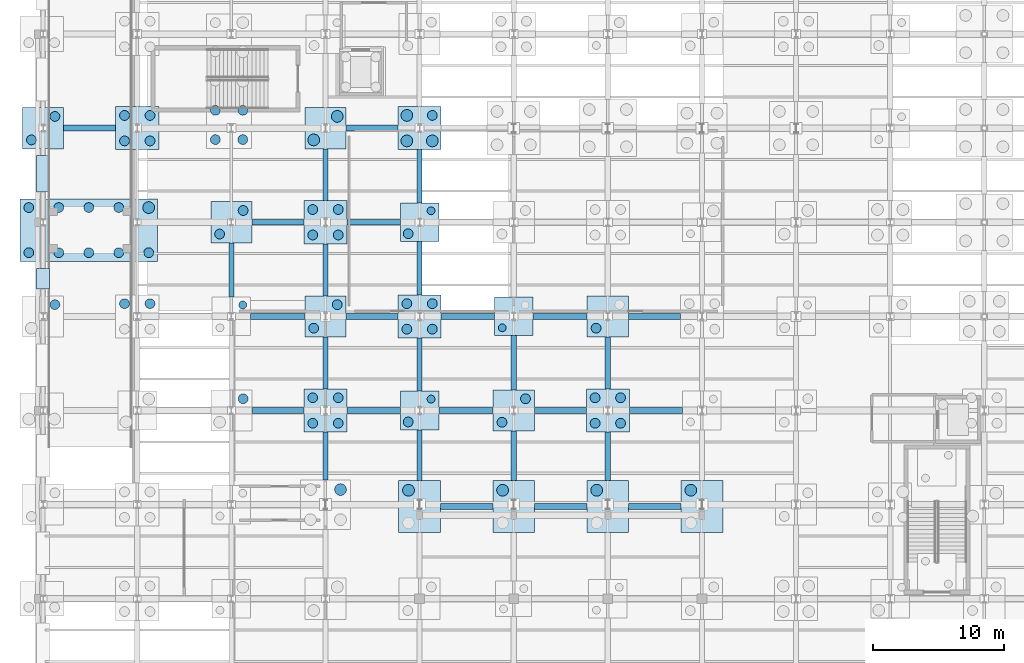
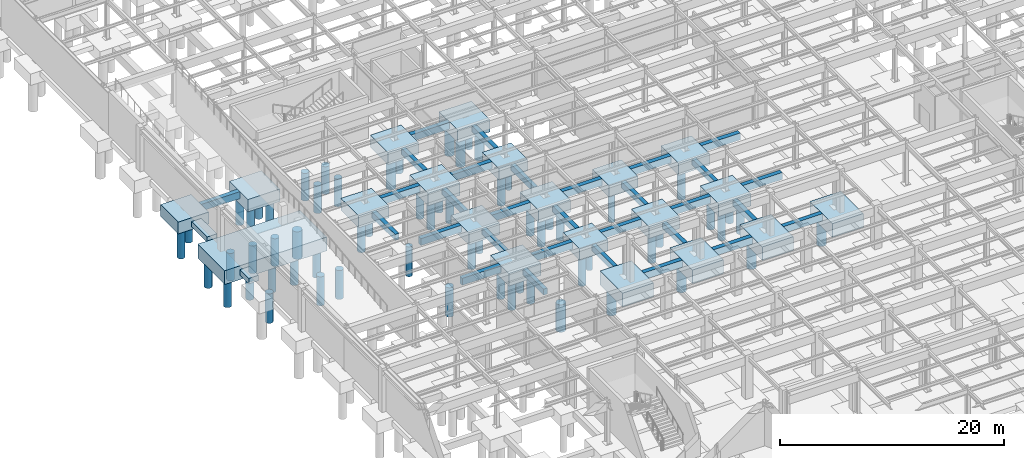
# One storey, part 8 of 64: 64 piles, 52 footings.
"""IFC4 building model written with IfcOpenShell, lengths in metres."""

from ifc_helpers import new_model, si_unit, direction, frame, origin, origin_2d, place, context, subcontext, project, spatial, rectangle, circle, extrude, material, material_profile, profile_set, type_object, element, save


model = new_model("IFC4")

# Units and contexts
model_context = context("Model", 3, precision=1e-05, world=origin(), true_north=direction((0.0, 1.0)))
body_context = subcontext(model_context, "Body", "Model", "MODEL_VIEW")
ifc_project = project(units=[si_unit("LENGTHUNIT", "METRE"), si_unit("AREAUNIT", "SQUARE_METRE"), si_unit("VOLUMEUNIT", "CUBIC_METRE"), si_unit("PLANEANGLEUNIT", "RADIAN"), si_unit("MASSUNIT", "GRAM", prefix="KILO")], contexts=[model_context])

# Site, building, storey
site_placement = place(None, origin())
site = spatial("IfcSite", under=ifc_project, at=site_placement, CompositionType="ELEMENT")
building_placement = place(site_placement, origin())
building = spatial("IfcBuilding", under=site, at=building_placement, Name="Solvadek Multi-Sports Hall", CompositionType="ELEMENT")
storey_placement = place(building_placement, frame((0.0, 0.0, -4.800048828125)))
storey = spatial("IfcBuildingStorey", under=building, at=storey_placement, Name="B1", CompositionType="ELEMENT", Elevation=-4.800048828125)

# Footings
ifc_material_1 = material(Name="Concrete M40", Category="concrete")
footing_type_1 = type_object("IfcFootingType", Name="STR-CAP-295X295X125", PredefinedType="PILE_CAP", material=ifc_material_1)
for number, where, z_axis, x_axis, name in (
    (1, (28.800048828125, 56.39990234375, -1.25), (0.0, 0.0, 1.0), (1.0, 0.0, 0.0), "Pile Cap PC-14 #181"),
    (2, (36.0, 63.60009765625, -1.25), (0.0, 0.0, 1.0), (1.0, 0.0, 0.0), "Pile Cap PC-14 #205"),
    (3, (28.800048828125, 70.800048828125, -1.25), (0.0, 0.0, 1.0), (1.0, 0.0, 0.0), "Pile Cap PC-14 #223"),
):
    element("IfcFooting", number, at=place(storey_placement, frame(where, z_axis=z_axis, x_axis=x_axis)), inside=storey, type_object=footing_type_1, Name=name, PredefinedType="PILE_CAP", context=body_context, shape_type="SweptSolid", body=[
        extrude(rectangle(XDim=2.949951171875, YDim=2.949951171875, at=origin_2d()), origin(), (0.0, 0.0, 1.0), 1.25),
    ])
footing_type_2 = type_object("IfcFootingType", Name="STR-CAP-315X315X130", PredefinedType="PILE_CAP", material=ifc_material_1)
for number, where, z_axis, x_axis, name in (
    (4, (36.0, 56.39990234375, -1.2998046875), (0.0, 0.0, 1.0), (1.0, 0.0, 0.0), "Pile Cap PC-15 #182"),
    (5, (21.60009765625, 63.60009765625, -1.2998046875), (0.0, 0.0, 1.0), (1.0, 0.0, 0.0), "Pile Cap PC-15 #203"),
    (6, (43.199951171875, 63.60009765625, -1.2998046875), (0.0, 0.0, 1.0), (1.0, 0.0, 0.0), "Pile Cap PC-15 #206"),
    (7, (14.39990234375, 70.800048828125, -1.2998046875), (0.0, 0.0, 1.0), (1.0, 0.0, 0.0), "Pile Cap PC-15 #221"),
    (8, (0.0, 78.0, -1.2998046875), (0.0, 0.0, 1.0), (1.0, 0.0, 0.0), "Pile Cap PC-15 #236"),
    (9, (21.60009765625, 78.0, -1.2998046875), (0.0, 0.0, 1.0), (1.0, 0.0, 0.0), "Pile Cap PC-15 #239"),
):
    element("IfcFooting", number, at=place(storey_placement, frame(where, z_axis=z_axis, x_axis=x_axis)), inside=storey, type_object=footing_type_2, Name=name, PredefinedType="PILE_CAP", context=body_context, shape_type="SweptSolid", body=[
        extrude(rectangle(XDim=3.14990234375, YDim=3.14990234375, at=origin_2d()), origin(), (0.0, 0.0, 1.0), 1.300048828125),
    ])
footing_type_3 = type_object("IfcFootingType", Name="STR-CAP-330X330X135", PredefinedType="PILE_CAP", material=ifc_material_1)
for number, where, z_axis, x_axis, name in (
    (10, (21.60009765625, 56.39990234375, -1.35009765625), (0.0, 0.0, 1.0), (1.0, 0.0, 0.0), "Pile Cap PC-04 #180"),
    (11, (43.199951171875, 56.39990234375, -1.35009765625), (0.0, 0.0, 1.0), (1.0, 0.0, 0.0), "Pile Cap PC-04 #183"),
    (12, (28.800048828125, 63.60009765625, -1.35009765625), (0.0, 0.0, 1.0), (1.0, 0.0, 0.0), "Pile Cap PC-04 #204"),
    (13, (21.60009765625, 70.800048828125, -1.35009765625), (0.0, 0.0, 1.0), (1.0, 0.0, 0.0), "Pile Cap PC-04 #222"),
    (14, (7.199951171875, 78.0, -1.35009765625), (0.0, 0.0, 1.0), (1.0, 0.0, 0.0), "Pile Cap PC-04 #237"),
    (15, (28.800048828125, 78.0, -1.35009765625), (0.0, 0.0, 1.0), (1.0, 0.0, 0.0), "Pile Cap PC-04 #240"),
):
    element("IfcFooting", number, at=place(storey_placement, frame(where, z_axis=z_axis, x_axis=x_axis)), inside=storey, type_object=footing_type_3, Name=name, PredefinedType="PILE_CAP", context=body_context, shape_type="SweptSolid", body=[
        extrude(rectangle(XDim=3.300048828125, YDim=3.300048828125, at=origin_2d()), origin(), (0.0, 0.0, 1.0), 1.35009765625),
    ])
footing_type_4 = type_object("IfcFootingType", Name="STR-CAP-CMB-1052X480", PredefinedType="PILE_CAP", material=ifc_material_1)
footing_1_placement = place(storey_placement, frame((3.489990234375, 70.199951171875, -1.5), z_axis=(0.0, 0.0, 1.0), x_axis=(1.0, 0.0, 0.0)))
element("IfcFooting", 16, at=footing_1_placement, inside=storey, type_object=footing_type_4, Name="Pile Cap PC-R214 #214", PredefinedType="PILE_CAP", context=body_context, shape_type="SweptSolid", body=[
    extrude(rectangle(XDim=10.52001953125, YDim=4.800048828125, at=origin_2d()), origin(), (0.0, 0.0, 1.0), 1.5),
])
footing_type_5 = type_object("IfcFootingType", Name="STR-CAP-CMB-400X320", PredefinedType="PILE_CAP", material=ifc_material_1)
for number, where, z_axis, x_axis, name in (
    (17, (28.800048828125, 49.050048828125, -1.5), (0.0, 0.0, 1.0), (0.0, 1.0, 0.0), "Pile Cap PC-R150 #150"),
    (18, (36.0, 49.050048828125, -1.5), (0.0, 0.0, 1.0), (0.0, 1.0, 0.0), "Pile Cap PC-R150 #151"),
    (19, (43.199951171875, 49.050048828125, -1.5), (0.0, 0.0, 1.0), (0.0, 1.0, 0.0), "Pile Cap PC-R150 #152"),
    (20, (50.39990234375, 49.050048828125, -1.5), (0.0, 0.0, 1.0), (0.0, 1.0, 0.0), "Pile Cap PC-R150 #153"),
):
    element("IfcFooting", number, at=place(storey_placement, frame(where, z_axis=z_axis, x_axis=x_axis)), inside=storey, type_object=footing_type_5, Name=name, PredefinedType="PILE_CAP", context=body_context, shape_type="SweptSolid", body=[
        extrude(rectangle(XDim=4.0, YDim=3.199951171875, at=origin_2d()), origin(), (0.0, 0.0, 1.0), 1.5),
    ])
footing_type_6 = type_object("IfcFootingType", Name="STR-FTB-400X650", PredefinedType="FOOTING_BEAM", material=ifc_material_1)
footing_2_placement = place(storey_placement, frame((14.39990234375, 67.14990234375, -0.64990234375), z_axis=(0.0, 0.0, 1.0), x_axis=(0.0, 1.0, 0.0)))
element("IfcFooting", 21, at=footing_2_placement, inside=storey, type_object=footing_type_6, Name="Foundation Beam FB-01 #235", PredefinedType="FOOTING_BEAM", context=body_context, shape_type="SweptSolid", body=[
    extrude(rectangle(XDim=4.14990234375, YDim=0.39990234375, at=origin_2d()), origin(), (0.0, 0.0, 1.0), 0.64990234375),
])
footing_3_placement = place(storey_placement, frame((21.60009765625, 52.925048828125, -0.64990234375), z_axis=(0.0, 0.0, 1.0), x_axis=(0.0, 1.0, 0.0)))
element("IfcFooting", 22, at=footing_3_placement, inside=storey, type_object=footing_type_6, Name="Foundation Beam FB-01 #242", PredefinedType="FOOTING_BEAM", context=body_context, shape_type="SweptSolid", body=[
    extrude(rectangle(XDim=3.64990234375, YDim=0.39990234375, at=origin_2d()), origin(), (0.0, 0.0, 1.0), 0.64990234375),
])
for number, where, z_axis, x_axis, name in (
    (23, (21.60009765625, 60.03759765625, -0.64990234375), (0.0, 0.0, 1.0), (0.0, 1.0, 0.0), "Foundation Beam FB-01 #243"),
    (24, (21.60009765625, 67.16259765625, -0.64990234375), (0.0, 0.0, 1.0), (0.0, 1.0, 0.0), "Foundation Beam FB-01 #244"),
    (25, (21.60009765625, 74.4375, -0.64990234375), (0.0, 0.0, 1.0), (0.0, 1.0, 0.0), "Foundation Beam FB-01 #245"),
):
    element("IfcFooting", number, at=place(storey_placement, frame(where, z_axis=z_axis, x_axis=x_axis)), inside=storey, type_object=footing_type_6, Name=name, PredefinedType="FOOTING_BEAM", context=body_context, shape_type="SweptSolid", body=[
        extrude(rectangle(XDim=3.97509765625, YDim=0.39990234375, at=origin_2d()), origin(), (0.0, 0.0, 1.0), 0.64990234375),
    ])
footing_4_placement = place(storey_placement, frame((28.800048828125, 52.987548828125, -0.64990234375), z_axis=(0.0, 0.0, 1.0), x_axis=(0.0, 1.0, 0.0)))
element("IfcFooting", 26, at=footing_4_placement, inside=storey, type_object=footing_type_6, Name="Foundation Beam FB-01 #253", PredefinedType="FOOTING_BEAM", context=body_context, shape_type="SweptSolid", body=[
    extrude(rectangle(XDim=3.875, YDim=0.39990234375, at=origin_2d()), origin(), (0.0, 0.0, 1.0), 0.64990234375),
])
for number, where, z_axis, x_axis, name in (
    (27, (28.800048828125, 59.91259765625, -0.64990234375), (0.0, 0.0, 1.0), (0.0, 1.0, 0.0), "Foundation Beam FB-01 #254"),
    (28, (28.800048828125, 67.28759765625, -0.64990234375), (0.0, 0.0, 1.0), (0.0, 1.0, 0.0), "Foundation Beam FB-01 #255"),
    (29, (28.800048828125, 74.3125, -0.64990234375), (0.0, 0.0, 1.0), (0.0, 1.0, 0.0), "Foundation Beam FB-01 #256"),
):
    element("IfcFooting", number, at=place(storey_placement, frame(where, z_axis=z_axis, x_axis=x_axis)), inside=storey, type_object=footing_type_6, Name=name, PredefinedType="FOOTING_BEAM", context=body_context, shape_type="SweptSolid", body=[
        extrude(rectangle(XDim=4.074951171875, YDim=0.39990234375, at=origin_2d()), origin(), (0.0, 0.0, 1.0), 0.64990234375),
    ])
footing_5_placement = place(storey_placement, frame((36.0, 52.9375, -0.64990234375), z_axis=(0.0, 0.0, 1.0), x_axis=(0.0, 1.0, 0.0)))
element("IfcFooting", 30, at=footing_5_placement, inside=storey, type_object=footing_type_6, Name="Foundation Beam FB-01 #266", PredefinedType="FOOTING_BEAM", context=body_context, shape_type="SweptSolid", body=[
    extrude(rectangle(XDim=3.77490234375, YDim=0.39990234375, at=origin_2d()), origin(), (0.0, 0.0, 1.0), 0.64990234375),
])
footing_6_placement = place(storey_placement, frame((36.0, 60.050048828125, -0.64990234375), z_axis=(0.0, 0.0, 1.0), x_axis=(0.0, 1.0, 0.0)))
element("IfcFooting", 31, at=footing_6_placement, inside=storey, type_object=footing_type_6, Name="Foundation Beam FB-01 #267", PredefinedType="FOOTING_BEAM", context=body_context, shape_type="SweptSolid", body=[
    extrude(rectangle(XDim=4.14990234375, YDim=0.39990234375, at=origin_2d()), origin(), (0.0, 0.0, 1.0), 0.64990234375),
])
footing_7_placement = place(storey_placement, frame((43.199951171875, 52.89990234375, -0.64990234375), z_axis=(0.0, 0.0, 1.0), x_axis=(0.0, 1.0, 0.0)))
element("IfcFooting", 32, at=footing_7_placement, inside=storey, type_object=footing_type_6, Name="Foundation Beam FB-01 #280", PredefinedType="FOOTING_BEAM", context=body_context, shape_type="SweptSolid", body=[
    extrude(rectangle(XDim=3.699951171875, YDim=0.39990234375, at=origin_2d()), origin(), (0.0, 0.0, 1.0), 0.64990234375),
])
footing_8_placement = place(storey_placement, frame((43.199951171875, 60.03759765625, -0.64990234375), z_axis=(0.0, 0.0, 1.0), x_axis=(0.0, 1.0, 0.0)))
element("IfcFooting", 33, at=footing_8_placement, inside=storey, type_object=footing_type_6, Name="Foundation Beam FB-01 #281", PredefinedType="FOOTING_BEAM", context=body_context, shape_type="SweptSolid", body=[
    extrude(rectangle(XDim=3.97509765625, YDim=0.39990234375, at=origin_2d()), origin(), (0.0, 0.0, 1.0), 0.64990234375),
])
footing_type_7 = type_object("IfcFootingType", Name="STR-FTB-450X750", PredefinedType="FOOTING_BEAM", material=ifc_material_1)
for number, where, z_axis, x_axis, name in (
    (34, (32.39990234375, 49.050048828125, -0.75), (0.0, 0.0, 1.0), (1.0, 0.0, 0.0), "Foundation Beam FB-02 #99"),
    (35, (39.60009765625, 49.050048828125, -0.75), (0.0, 0.0, 1.0), (1.0, 0.0, 0.0), "Foundation Beam FB-02 #100"),
    (36, (46.800048828125, 49.050048828125, -0.75), (0.0, 0.0, 1.0), (1.0, 0.0, 0.0), "Foundation Beam FB-02 #101"),
):
    element("IfcFooting", number, at=place(storey_placement, frame(where, z_axis=z_axis, x_axis=x_axis)), inside=storey, type_object=footing_type_7, Name=name, PredefinedType="FOOTING_BEAM", context=body_context, shape_type="SweptSolid", body=[
        extrude(rectangle(XDim=4.0, YDim=0.449951171875, at=origin_2d()), origin(), (0.0, 0.0, 1.0), 0.75),
    ])
footing_9_placement = place(storey_placement, frame((17.96240234375, 56.39990234375, -0.75), z_axis=(0.0, 0.0, 1.0), x_axis=(1.0, 0.0, 0.0)))
element("IfcFooting", 37, at=footing_9_placement, inside=storey, type_object=footing_type_7, Name="Foundation Beam FB-02 #121", PredefinedType="FOOTING_BEAM", context=body_context, shape_type="SweptSolid", body=[
    extrude(rectangle(XDim=3.97509765625, YDim=0.449951171875, at=origin_2d()), origin(), (0.0, 0.0, 1.0), 0.75),
])
footing_10_placement = place(storey_placement, frame((25.28759765625, 56.39990234375, -0.75), z_axis=(0.0, 0.0, 1.0), x_axis=(1.0, 0.0, 0.0)))
element("IfcFooting", 38, at=footing_10_placement, inside=storey, type_object=footing_type_7, Name="Foundation Beam FB-02 #122", PredefinedType="FOOTING_BEAM", context=body_context, shape_type="SweptSolid", body=[
    extrude(rectangle(XDim=4.074951171875, YDim=0.449951171875, at=origin_2d()), origin(), (0.0, 0.0, 1.0), 0.75),
])
footing_11_placement = place(storey_placement, frame((32.35009765625, 56.39990234375, -0.75), z_axis=(0.0, 0.0, 1.0), x_axis=(1.0, 0.0, 0.0)))
element("IfcFooting", 39, at=footing_11_placement, inside=storey, type_object=footing_type_7, Name="Foundation Beam FB-02 #123", PredefinedType="FOOTING_BEAM", context=body_context, shape_type="SweptSolid", body=[
    extrude(rectangle(XDim=4.14990234375, YDim=0.449951171875, at=origin_2d()), origin(), (0.0, 0.0, 1.0), 0.75),
])
footing_12_placement = place(storey_placement, frame((39.5625, 56.39990234375, -0.75), z_axis=(0.0, 0.0, 1.0), x_axis=(1.0, 0.0, 0.0)))
element("IfcFooting", 40, at=footing_12_placement, inside=storey, type_object=footing_type_7, Name="Foundation Beam FB-02 #124", PredefinedType="FOOTING_BEAM", context=body_context, shape_type="SweptSolid", body=[
    extrude(rectangle(XDim=3.97509765625, YDim=0.449951171875, at=origin_2d()), origin(), (0.0, 0.0, 1.0), 0.75),
])
footing_13_placement = place(storey_placement, frame((46.887451171875, 56.39990234375, -0.75), z_axis=(0.0, 0.0, 1.0), x_axis=(1.0, 0.0, 0.0)))
element("IfcFooting", 41, at=footing_13_placement, inside=storey, type_object=footing_type_7, Name="Foundation Beam FB-02 #125", PredefinedType="FOOTING_BEAM", context=body_context, shape_type="SweptSolid", body=[
    extrude(rectangle(XDim=4.074951171875, YDim=0.449951171875, at=origin_2d()), origin(), (0.0, 0.0, 1.0), 0.75),
])
footing_14_placement = place(storey_placement, frame((17.949951171875, 63.60009765625, -0.75), z_axis=(0.0, 0.0, 1.0), x_axis=(1.0, 0.0, 0.0)))
element("IfcFooting", 42, at=footing_14_placement, inside=storey, type_object=footing_type_7, Name="Foundation Beam FB-02 #142", PredefinedType="FOOTING_BEAM", context=body_context, shape_type="SweptSolid", body=[
    extrude(rectangle(XDim=4.14990234375, YDim=0.449951171875, at=origin_2d()), origin(), (0.0, 0.0, 1.0), 0.75),
])
footing_15_placement = place(storey_placement, frame((25.16259765625, 63.60009765625, -0.75), z_axis=(0.0, 0.0, 1.0), x_axis=(1.0, 0.0, 0.0)))
element("IfcFooting", 43, at=footing_15_placement, inside=storey, type_object=footing_type_7, Name="Foundation Beam FB-02 #143", PredefinedType="FOOTING_BEAM", context=body_context, shape_type="SweptSolid", body=[
    extrude(rectangle(XDim=3.97509765625, YDim=0.449951171875, at=origin_2d()), origin(), (0.0, 0.0, 1.0), 0.75),
])
footing_16_placement = place(storey_placement, frame((32.487548828125, 63.60009765625, -0.75), z_axis=(0.0, 0.0, 1.0), x_axis=(1.0, 0.0, 0.0)))
element("IfcFooting", 44, at=footing_16_placement, inside=storey, type_object=footing_type_7, Name="Foundation Beam FB-02 #144", PredefinedType="FOOTING_BEAM", context=body_context, shape_type="SweptSolid", body=[
    extrude(rectangle(XDim=4.074951171875, YDim=0.449951171875, at=origin_2d()), origin(), (0.0, 0.0, 1.0), 0.75),
])
footing_17_placement = place(storey_placement, frame((39.550048828125, 63.60009765625, -0.75), z_axis=(0.0, 0.0, 1.0), x_axis=(1.0, 0.0, 0.0)))
element("IfcFooting", 45, at=footing_17_placement, inside=storey, type_object=footing_type_7, Name="Foundation Beam FB-02 #145", PredefinedType="FOOTING_BEAM", context=body_context, shape_type="SweptSolid", body=[
    extrude(rectangle(XDim=4.14990234375, YDim=0.449951171875, at=origin_2d()), origin(), (0.0, 0.0, 1.0), 0.75),
])
for number, where, z_axis, x_axis, name in (
    (46, (46.762451171875, 63.60009765625, -0.75), (0.0, 0.0, 1.0), (1.0, 0.0, 0.0), "Foundation Beam FB-02 #146"),
    (47, (17.96240234375, 70.800048828125, -0.75), (0.0, 0.0, 1.0), (1.0, 0.0, 0.0), "Foundation Beam FB-02 #154"),
):
    element("IfcFooting", number, at=place(storey_placement, frame(where, z_axis=z_axis, x_axis=x_axis)), inside=storey, type_object=footing_type_7, Name=name, PredefinedType="FOOTING_BEAM", context=body_context, shape_type="SweptSolid", body=[
        extrude(rectangle(XDim=3.97509765625, YDim=0.449951171875, at=origin_2d()), origin(), (0.0, 0.0, 1.0), 0.75),
    ])
footing_18_placement = place(storey_placement, frame((25.28759765625, 70.800048828125, -0.75), z_axis=(0.0, 0.0, 1.0), x_axis=(1.0, 0.0, 0.0)))
element("IfcFooting", 48, at=footing_18_placement, inside=storey, type_object=footing_type_7, Name="Foundation Beam FB-02 #155", PredefinedType="FOOTING_BEAM", context=body_context, shape_type="SweptSolid", body=[
    extrude(rectangle(XDim=4.074951171875, YDim=0.449951171875, at=origin_2d()), origin(), (0.0, 0.0, 1.0), 0.75),
])
for number, where, z_axis, x_axis, name in (
    (49, (3.5625, 78.0, -0.75), (0.0, 0.0, 1.0), (1.0, 0.0, 0.0), "Foundation Beam FB-02 #165"),
    (50, (25.16259765625, 78.0, -0.75), (0.0, 0.0, 1.0), (1.0, 0.0, 0.0), "Foundation Beam FB-02 #166"),
):
    element("IfcFooting", number, at=place(storey_placement, frame(where, z_axis=z_axis, x_axis=x_axis)), inside=storey, type_object=footing_type_7, Name=name, PredefinedType="FOOTING_BEAM", context=body_context, shape_type="SweptSolid", body=[
        extrude(rectangle(XDim=3.97509765625, YDim=0.449951171875, at=origin_2d()), origin(), (0.0, 0.0, 1.0), 0.75),
    ])

# Piles
ifc_material_2 = material(Name="Concrete M35", Category="concrete")
ifc_material_profile_1 = material_profile(ifc_material_2, circle(Radius=0.300048828125, at=origin_2d()), Name="BORED PILE D600")
ifc_profile_set_1 = profile_set([ifc_material_profile_1], Name="Concrete M35")
pile_type_1 = type_object("IfcPileType", Name="STR-PILE-D600", PredefinedType="BORED", material=ifc_profile_set_1)
for number, where, z_axis, x_axis, name in (
    (51, (29.675048828125, 57.27490234375, -1.14990234375), (0.0, 0.0, -1.0), (1.0, 0.0, 0.0), "Bored Pile PL-600 #575"),
    (52, (15.27490234375, 64.47509765625, -1.14990234375), (0.0, 0.0, -1.0), (1.0, 0.0, 0.0), "Bored Pile PL-600 #631"),
    (53, (35.125, 62.72509765625, -1.14990234375), (0.0, 0.0, -1.0), (1.0, 0.0, 0.0), "Bored Pile PL-600 #638"),
    (54, (29.675048828125, 71.675048828125, -1.14990234375), (0.0, 0.0, -1.0), (1.0, 0.0, 0.0), "Bored Pile PL-600 #711"),
):
    element("IfcPile", number, at=place(storey_placement, frame(where, z_axis=z_axis, x_axis=x_axis)), inside=storey, type_object=pile_type_1, Name=name, PredefinedType="BORED", context=body_context, shape_type="SweptSolid", body=[
        extrude(circle(Radius=0.300048828125, at=origin_2d()), origin(), (0.0, 0.0, 1.0), 3.25),
    ])
ifc_material_profile_2 = material_profile(ifc_material_2, circle(Radius=0.375, at=origin_2d()), Name="BORED PILE D750")
ifc_profile_set_2 = profile_set([ifc_material_profile_2], Name="Concrete M35")
pile_type_2 = type_object("IfcPileType", Name="STR-PILE-D750", PredefinedType="BORED", material=ifc_profile_set_2)
pile_1_placement = place(storey_placement, frame((15.300048828125, 57.300048828125, -1.199951171875), z_axis=(0.0, 0.0, -1.0), x_axis=(1.0, 0.0, 0.0)))
element("IfcPile", 55, at=pile_1_placement, inside=storey, type_object=pile_type_2, Name="Bored Pile PL-750 #569", PredefinedType="BORED", context=body_context, shape_type="SweptSolid", body=[
    extrude(circle(Radius=0.375, at=origin_2d()), origin(), (0.0, 0.0, 1.0), 3.199951171875),
])
for number, where, z_axis, x_axis, name in (
    (56, (20.625, 55.425048828125, -1.25), (0.0, 0.0, -1.0), (1.0, 0.0, 0.0), "Bored Pile PL-750 #570"),
    (57, (20.625, 57.375, -1.25), (0.0, 0.0, -1.0), (1.0, 0.0, 0.0), "Bored Pile PL-750 #571"),
    (58, (22.574951171875, 55.425048828125, -1.25), (0.0, 0.0, -1.0), (1.0, 0.0, 0.0), "Bored Pile PL-750 #572"),
    (59, (22.574951171875, 57.375, -1.25), (0.0, 0.0, -1.0), (1.0, 0.0, 0.0), "Bored Pile PL-750 #573"),
):
    element("IfcPile", number, at=place(storey_placement, frame(where, z_axis=z_axis, x_axis=x_axis)), inside=storey, type_object=pile_type_2, Name=name, PredefinedType="BORED", context=body_context, shape_type="SweptSolid", body=[
        extrude(circle(Radius=0.375, at=origin_2d()), origin(), (0.0, 0.0, 1.0), 3.14990234375),
    ])
pile_2_placement = place(storey_placement, frame((27.925048828125, 55.52490234375, -1.14990234375), z_axis=(0.0, 0.0, -1.0), x_axis=(1.0, 0.0, 0.0)))
element("IfcPile", 60, at=pile_2_placement, inside=storey, type_object=pile_type_2, Name="Bored Pile PL-750 #574", PredefinedType="BORED", context=body_context, shape_type="SweptSolid", body=[
    extrude(circle(Radius=0.375, at=origin_2d()), origin(), (0.0, 0.0, 1.0), 3.25),
])
for number, where, z_axis, x_axis, name in (
    (61, (35.10009765625, 55.5, -1.199951171875), (0.0, 0.0, -1.0), (1.0, 0.0, 0.0), "Bored Pile PL-750 #576"),
    (62, (36.89990234375, 57.300048828125, -1.199951171875), (0.0, 0.0, -1.0), (1.0, 0.0, 0.0), "Bored Pile PL-750 #577"),
):
    element("IfcPile", number, at=place(storey_placement, frame(where, z_axis=z_axis, x_axis=x_axis)), inside=storey, type_object=pile_type_2, Name=name, PredefinedType="BORED", context=body_context, shape_type="SweptSolid", body=[
        extrude(circle(Radius=0.375, at=origin_2d()), origin(), (0.0, 0.0, 1.0), 3.199951171875),
    ])
for number, where, z_axis, x_axis, name in (
    (63, (42.22509765625, 55.425048828125, -1.25), (0.0, 0.0, -1.0), (1.0, 0.0, 0.0), "Bored Pile PL-750 #578"),
    (64, (42.22509765625, 57.375, -1.25), (0.0, 0.0, -1.0), (1.0, 0.0, 0.0), "Bored Pile PL-750 #579"),
    (65, (44.175048828125, 55.425048828125, -1.25), (0.0, 0.0, -1.0), (1.0, 0.0, 0.0), "Bored Pile PL-750 #580"),
    (66, (44.175048828125, 57.375, -1.25), (0.0, 0.0, -1.0), (1.0, 0.0, 0.0), "Bored Pile PL-750 #581"),
):
    element("IfcPile", number, at=place(storey_placement, frame(where, z_axis=z_axis, x_axis=x_axis)), inside=storey, type_object=pile_type_2, Name=name, PredefinedType="BORED", context=body_context, shape_type="SweptSolid", body=[
        extrude(circle(Radius=0.375, at=origin_2d()), origin(), (0.0, 0.0, 1.0), 3.14990234375),
    ])
pile_3_placement = place(storey_placement, frame((0.89990234375, 64.5, -1.199951171875), z_axis=(0.0, 0.0, -1.0), x_axis=(1.0, 0.0, 0.0)))
element("IfcPile", 67, at=pile_3_placement, inside=storey, type_object=pile_type_2, Name="Bored Pile PL-750 #625", PredefinedType="BORED", context=body_context, shape_type="SweptSolid", body=[
    extrude(circle(Radius=0.375, at=origin_2d()), origin(), (0.0, 0.0, 1.0), 3.199951171875),
])
for number, where, z_axis, x_axis, name in (
    (68, (6.22509765625, 64.574951171875, -1.25), (0.0, 0.0, -1.0), (1.0, 0.0, 0.0), "Bored Pile PL-750 #627"),
    (69, (8.175048828125, 64.574951171875, -1.25), (0.0, 0.0, -1.0), (1.0, 0.0, 0.0), "Bored Pile PL-750 #629"),
):
    element("IfcPile", number, at=place(storey_placement, frame(where, z_axis=z_axis, x_axis=x_axis)), inside=storey, type_object=pile_type_2, Name=name, PredefinedType="BORED", context=body_context, shape_type="SweptSolid", body=[
        extrude(circle(Radius=0.375, at=origin_2d()), origin(), (0.0, 0.0, 1.0), 3.14990234375),
    ])
for number, where, z_axis, x_axis, name in (
    (70, (20.699951171875, 62.699951171875, -1.199951171875), (0.0, 0.0, -1.0), (1.0, 0.0, 0.0), "Bored Pile PL-750 #632"),
    (71, (22.5, 64.5, -1.199951171875), (0.0, 0.0, -1.0), (1.0, 0.0, 0.0), "Bored Pile PL-750 #633"),
):
    element("IfcPile", number, at=place(storey_placement, frame(where, z_axis=z_axis, x_axis=x_axis)), inside=storey, type_object=pile_type_2, Name=name, PredefinedType="BORED", context=body_context, shape_type="SweptSolid", body=[
        extrude(circle(Radius=0.375, at=origin_2d()), origin(), (0.0, 0.0, 1.0), 3.199951171875),
    ])
for number, where, z_axis, x_axis, name in (
    (72, (27.824951171875, 62.625, -1.25), (0.0, 0.0, -1.0), (1.0, 0.0, 0.0), "Bored Pile PL-750 #634"),
    (73, (27.824951171875, 64.574951171875, -1.25), (0.0, 0.0, -1.0), (1.0, 0.0, 0.0), "Bored Pile PL-750 #635"),
    (74, (29.77490234375, 62.625, -1.25), (0.0, 0.0, -1.0), (1.0, 0.0, 0.0), "Bored Pile PL-750 #636"),
    (75, (29.77490234375, 64.574951171875, -1.25), (0.0, 0.0, -1.0), (1.0, 0.0, 0.0), "Bored Pile PL-750 #637"),
):
    element("IfcPile", number, at=place(storey_placement, frame(where, z_axis=z_axis, x_axis=x_axis)), inside=storey, type_object=pile_type_2, Name=name, PredefinedType="BORED", context=body_context, shape_type="SweptSolid", body=[
        extrude(circle(Radius=0.375, at=origin_2d()), origin(), (0.0, 0.0, 1.0), 3.14990234375),
    ])
pile_4_placement = place(storey_placement, frame((42.300048828125, 62.699951171875, -1.199951171875), z_axis=(0.0, 0.0, -1.0), x_axis=(1.0, 0.0, 0.0)))
element("IfcPile", 76, at=pile_4_placement, inside=storey, type_object=pile_type_2, Name="Bored Pile PL-750 #640", PredefinedType="BORED", context=body_context, shape_type="SweptSolid", body=[
    extrude(circle(Radius=0.375, at=origin_2d()), origin(), (0.0, 0.0, 1.0), 3.199951171875),
])
for number, where, z_axis, x_axis, name in (
    (77, (-1.094970703125, 68.47509765625, -1.39990234375), (0.0, 0.0, -1.0), (1.0, 0.0, 0.0), "Bored Pile PL-750 #666"),
    (78, (-1.094970703125, 71.925048828125, -1.39990234375), (0.0, 0.0, -1.0), (1.0, 0.0, 0.0), "Bored Pile PL-750 #667"),
    (79, (1.197509765625, 68.47509765625, -1.39990234375), (0.0, 0.0, -1.0), (1.0, 0.0, 0.0), "Bored Pile PL-750 #668"),
    (80, (1.197509765625, 71.925048828125, -1.39990234375), (0.0, 0.0, -1.0), (1.0, 0.0, 0.0), "Bored Pile PL-750 #669"),
    (81, (3.489990234375, 68.47509765625, -1.39990234375), (0.0, 0.0, -1.0), (1.0, 0.0, 0.0), "Bored Pile PL-750 #670"),
    (82, (3.489990234375, 71.925048828125, -1.39990234375), (0.0, 0.0, -1.0), (1.0, 0.0, 0.0), "Bored Pile PL-750 #671"),
    (83, (5.782470703125, 68.47509765625, -1.39990234375), (0.0, 0.0, -1.0), (1.0, 0.0, 0.0), "Bored Pile PL-750 #672"),
    (84, (5.782470703125, 71.925048828125, -1.39990234375), (0.0, 0.0, -1.0), (1.0, 0.0, 0.0), "Bored Pile PL-750 #673"),
    (85, (8.074951171875, 68.47509765625, -1.39990234375), (0.0, 0.0, -1.0), (1.0, 0.0, 0.0), "Bored Pile PL-750 #674"),
):
    element("IfcPile", number, at=place(storey_placement, frame(where, z_axis=z_axis, x_axis=x_axis)), inside=storey, type_object=pile_type_2, Name=name, PredefinedType="BORED", context=body_context, shape_type="SweptSolid", body=[
        extrude(circle(Radius=0.375, at=origin_2d()), origin(), (0.0, 0.0, 1.0), 3.0),
    ])
for number, where, z_axis, x_axis, name in (
    (86, (13.5, 69.89990234375, -1.199951171875), (0.0, 0.0, -1.0), (1.0, 0.0, 0.0), "Bored Pile PL-750 #704"),
    (87, (15.300048828125, 71.699951171875, -1.199951171875), (0.0, 0.0, -1.0), (1.0, 0.0, 0.0), "Bored Pile PL-750 #705"),
):
    element("IfcPile", number, at=place(storey_placement, frame(where, z_axis=z_axis, x_axis=x_axis)), inside=storey, type_object=pile_type_2, Name=name, PredefinedType="BORED", context=body_context, shape_type="SweptSolid", body=[
        extrude(circle(Radius=0.375, at=origin_2d()), origin(), (0.0, 0.0, 1.0), 3.199951171875),
    ])
for number, where, z_axis, x_axis, name in (
    (88, (20.625, 69.824951171875, -1.25), (0.0, 0.0, -1.0), (1.0, 0.0, 0.0), "Bored Pile PL-750 #706"),
    (89, (20.625, 71.77490234375, -1.25), (0.0, 0.0, -1.0), (1.0, 0.0, 0.0), "Bored Pile PL-750 #707"),
    (90, (22.574951171875, 69.824951171875, -1.25), (0.0, 0.0, -1.0), (1.0, 0.0, 0.0), "Bored Pile PL-750 #708"),
    (91, (22.574951171875, 71.77490234375, -1.25), (0.0, 0.0, -1.0), (1.0, 0.0, 0.0), "Bored Pile PL-750 #709"),
):
    element("IfcPile", number, at=place(storey_placement, frame(where, z_axis=z_axis, x_axis=x_axis)), inside=storey, type_object=pile_type_2, Name=name, PredefinedType="BORED", context=body_context, shape_type="SweptSolid", body=[
        extrude(circle(Radius=0.375, at=origin_2d()), origin(), (0.0, 0.0, 1.0), 3.14990234375),
    ])
pile_5_placement = place(storey_placement, frame((27.925048828125, 69.925048828125, -1.14990234375), z_axis=(0.0, 0.0, -1.0), x_axis=(1.0, 0.0, 0.0)))
element("IfcPile", 92, at=pile_5_placement, inside=storey, type_object=pile_type_2, Name="Bored Pile PL-750 #710", PredefinedType="BORED", context=body_context, shape_type="SweptSolid", body=[
    extrude(circle(Radius=0.375, at=origin_2d()), origin(), (0.0, 0.0, 1.0), 3.25),
])
for number, where, z_axis, x_axis, name in (
    (93, (-0.89990234375, 77.10009765625, -1.199951171875), (0.0, 0.0, -1.0), (1.0, 0.0, 0.0), "Bored Pile PL-750 #752"),
    (94, (0.89990234375, 78.89990234375, -1.199951171875), (0.0, 0.0, -1.0), (1.0, 0.0, 0.0), "Bored Pile PL-750 #753"),
):
    element("IfcPile", number, at=place(storey_placement, frame(where, z_axis=z_axis, x_axis=x_axis)), inside=storey, type_object=pile_type_2, Name=name, PredefinedType="BORED", context=body_context, shape_type="SweptSolid", body=[
        extrude(circle(Radius=0.375, at=origin_2d()), origin(), (0.0, 0.0, 1.0), 3.199951171875),
    ])
for number, where, z_axis, x_axis, name in (
    (95, (6.22509765625, 77.02490234375, -1.25), (0.0, 0.0, -1.0), (1.0, 0.0, 0.0), "Bored Pile PL-750 #754"),
    (96, (6.22509765625, 78.97509765625, -1.25), (0.0, 0.0, -1.0), (1.0, 0.0, 0.0), "Bored Pile PL-750 #755"),
    (97, (8.175048828125, 77.02490234375, -1.25), (0.0, 0.0, -1.0), (1.0, 0.0, 0.0), "Bored Pile PL-750 #756"),
    (98, (8.175048828125, 78.97509765625, -1.25), (0.0, 0.0, -1.0), (1.0, 0.0, 0.0), "Bored Pile PL-750 #757"),
):
    element("IfcPile", number, at=place(storey_placement, frame(where, z_axis=z_axis, x_axis=x_axis)), inside=storey, type_object=pile_type_2, Name=name, PredefinedType="BORED", context=body_context, shape_type="SweptSolid", body=[
        extrude(circle(Radius=0.375, at=origin_2d()), origin(), (0.0, 0.0, 1.0), 3.14990234375),
    ])
for number, where, z_axis, x_axis, name in (
    (99, (13.175048828125, 77.125, -1.39990234375), (0.0, 0.0, -1.0), (1.0, 0.0, 0.0), "Bored Pile PL-750 #758"),
    (100, (13.175048828125, 79.362548828125, -1.39990234375), (0.0, 0.0, -1.0), (1.0, 0.0, 0.0), "Bored Pile PL-750 #759"),
    (101, (15.27490234375, 77.125, -1.39990234375), (0.0, 0.0, -1.0), (1.0, 0.0, 0.0), "Bored Pile PL-750 #763"),
    (102, (15.27490234375, 79.362548828125, -1.39990234375), (0.0, 0.0, -1.0), (1.0, 0.0, 0.0), "Bored Pile PL-750 #764"),
):
    element("IfcPile", number, at=place(storey_placement, frame(where, z_axis=z_axis, x_axis=x_axis)), inside=storey, type_object=pile_type_2, Name=name, PredefinedType="BORED", context=body_context, shape_type="SweptSolid", body=[
        extrude(circle(Radius=0.375, at=origin_2d()), origin(), (0.0, 0.0, 1.0), 3.0),
    ])
pile_6_placement = place(storey_placement, frame((29.77490234375, 78.97509765625, -1.25), z_axis=(0.0, 0.0, -1.0), x_axis=(1.0, 0.0, 0.0)))
element("IfcPile", 103, at=pile_6_placement, inside=storey, type_object=pile_type_2, Name="Bored Pile PL-750 #773", PredefinedType="BORED", context=body_context, shape_type="SweptSolid", body=[
    extrude(circle(Radius=0.375, at=origin_2d()), origin(), (0.0, 0.0, 1.0), 3.14990234375),
])
ifc_material_profile_3 = material_profile(ifc_material_2, circle(Radius=0.449951171875, at=origin_2d()), Name="BORED PILE D900")
ifc_profile_set_3 = profile_set([ifc_material_profile_3], Name="Concrete M35")
pile_type_3 = type_object("IfcPileType", Name="STR-PILE-D900", PredefinedType="BORED", material=ifc_profile_set_3)
for number, where, z_axis, x_axis, name in (
    (104, (27.949951171875, 50.300048828125, -1.39990234375), (0.0, 0.0, -1.0), (1.0, 0.0, 0.0), "Bored Pile PL-900 #487"),
    (105, (35.14990234375, 50.300048828125, -1.39990234375), (0.0, 0.0, -1.0), (1.0, 0.0, 0.0), "Bored Pile PL-900 #489"),
    (106, (42.35009765625, 50.300048828125, -1.39990234375), (0.0, 0.0, -1.0), (1.0, 0.0, 0.0), "Bored Pile PL-900 #491"),
    (107, (49.550048828125, 50.300048828125, -1.39990234375), (0.0, 0.0, -1.0), (1.0, 0.0, 0.0), "Bored Pile PL-900 #493"),
    (108, (22.75, 50.35009765625, -1.39990234375), (0.0, 0.0, -1.0), (1.0, 0.0, 0.0), "Bored Pile PL-900 #497"),
    (109, (8.074951171875, 71.925048828125, -1.39990234375), (0.0, 0.0, -1.0), (1.0, 0.0, 0.0), "Bored Pile PL-900 #675"),
):
    element("IfcPile", number, at=place(storey_placement, frame(where, z_axis=z_axis, x_axis=x_axis)), inside=storey, type_object=pile_type_3, Name=name, PredefinedType="BORED", context=body_context, shape_type="SweptSolid", body=[
        extrude(circle(Radius=0.449951171875, at=origin_2d()), origin(), (0.0, 0.0, 1.0), 3.0),
    ])
for number, where, z_axis, x_axis, name in (
    (110, (20.699951171875, 77.10009765625, -1.199951171875), (0.0, 0.0, -1.0), (1.0, 0.0, 0.0), "Bored Pile PL-900 #768"),
    (111, (22.5, 78.89990234375, -1.199951171875), (0.0, 0.0, -1.0), (1.0, 0.0, 0.0), "Bored Pile PL-900 #769"),
):
    element("IfcPile", number, at=place(storey_placement, frame(where, z_axis=z_axis, x_axis=x_axis)), inside=storey, type_object=pile_type_3, Name=name, PredefinedType="BORED", context=body_context, shape_type="SweptSolid", body=[
        extrude(circle(Radius=0.449951171875, at=origin_2d()), origin(), (0.0, 0.0, 1.0), 3.199951171875),
    ])
for number, where, z_axis, x_axis, name in (
    (112, (27.824951171875, 77.02490234375, -1.25), (0.0, 0.0, -1.0), (1.0, 0.0, 0.0), "Bored Pile PL-900 #770"),
    (113, (27.824951171875, 78.97509765625, -1.25), (0.0, 0.0, -1.0), (1.0, 0.0, 0.0), "Bored Pile PL-900 #771"),
    (114, (29.77490234375, 77.02490234375, -1.25), (0.0, 0.0, -1.0), (1.0, 0.0, 0.0), "Bored Pile PL-900 #772"),
):
    element("IfcPile", number, at=place(storey_placement, frame(where, z_axis=z_axis, x_axis=x_axis)), inside=storey, type_object=pile_type_3, Name=name, PredefinedType="BORED", context=body_context, shape_type="SweptSolid", body=[
        extrude(circle(Radius=0.449951171875, at=origin_2d()), origin(), (0.0, 0.0, 1.0), 3.14990234375),
    ])

# Footings
footing_type_8 = type_object("IfcFootingType", Name="STR-SFT-1000X600", PredefinedType="STRIP_FOOTING", material=ifc_material_1)
footing_19_placement = place(storey_placement, frame((0.0, 74.512451171875, -0.60009765625), z_axis=(0.0, 0.0, 1.0), x_axis=(0.0, -1.0, 0.0)))
element("IfcFooting", 115, at=footing_19_placement, inside=storey, type_object=footing_type_8, Name="Perimeter Retaining Wall Strip Footing #455", PredefinedType="STRIP_FOOTING", context=body_context, shape_type="SweptSolid", body=[
    extrude(rectangle(XDim=2.784912109375, YDim=1.0, at=origin_2d()), origin(), (0.0, 0.0, 1.0), 0.60009765625),
])
footing_20_placement = place(storey_placement, frame((0.0, 66.487548828125, -0.60009765625), z_axis=(0.0, 0.0, 1.0), x_axis=(0.0, -1.0, 0.0)))
element("IfcFooting", 116, at=footing_20_placement, inside=storey, type_object=footing_type_8, Name="Perimeter Retaining Wall Strip Footing #456", PredefinedType="STRIP_FOOTING", context=body_context, shape_type="SweptSolid", body=[
    extrude(rectangle(XDim=1.5849609375, YDim=1.0, at=origin_2d()), origin(), (0.0, 0.0, 1.0), 0.60009765625),
])

save(model, "model.ifc")
